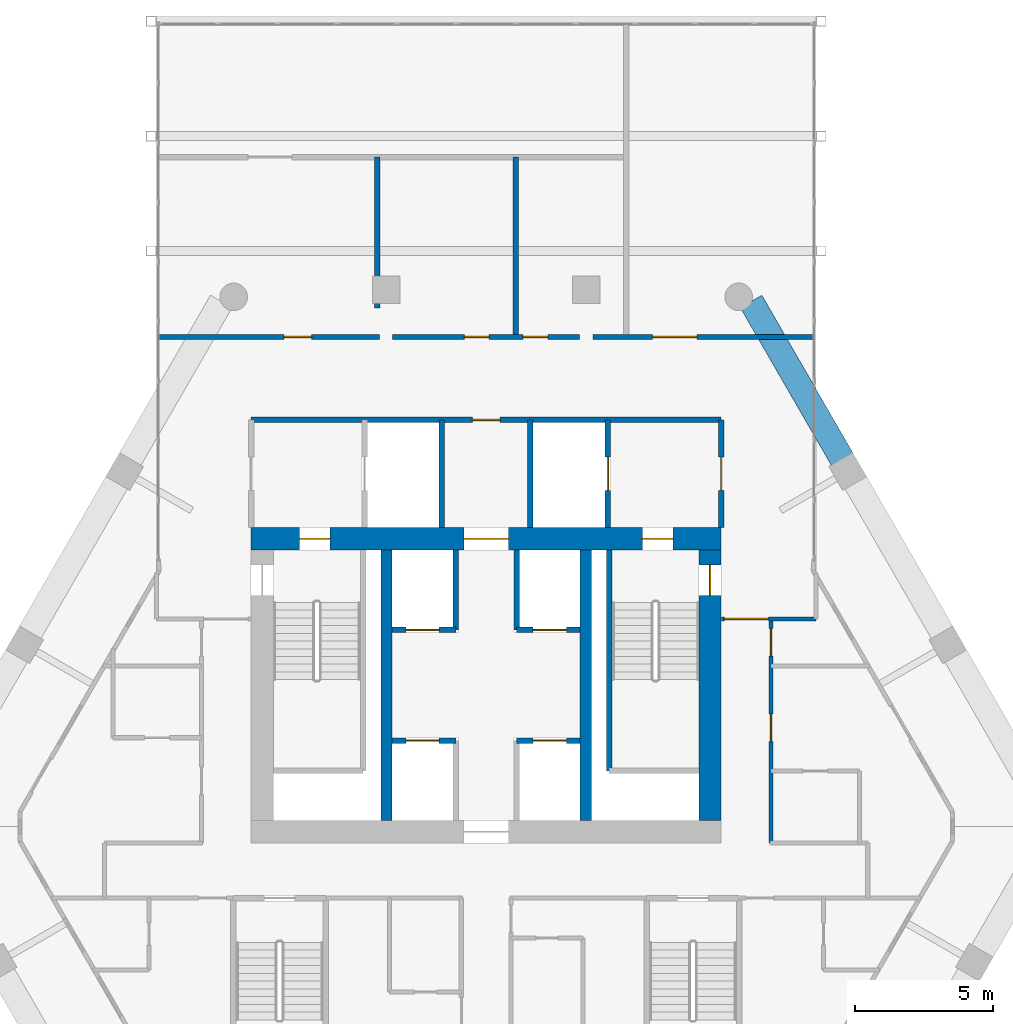
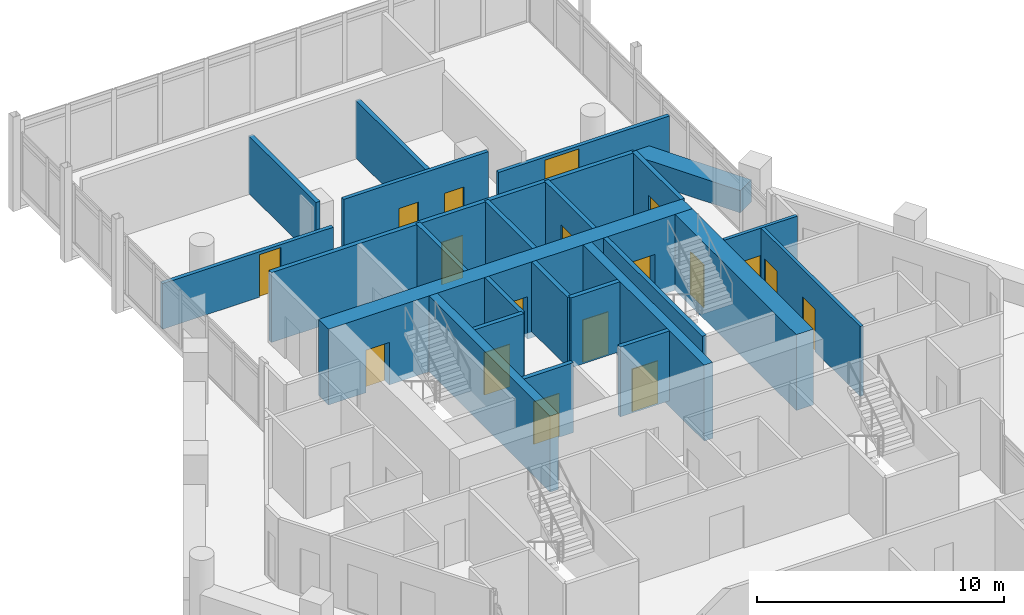
# One storey, part 27 of 29: 24 walls, 18 doors, 18 openings.
"""IFC4 building model written with IfcOpenShell, lengths in metres."""

from ifc_helpers import new_model, si_unit, direction, frame, frame_2d, origin, place, context, subcontext, project, spatial, rectangle, extrude, material, layer, layer_set, type_object, element, fill, save


model = new_model("IFC4")

# Units and contexts
model_context = context("Model", 3, precision=1e-05, world=origin(), true_north=direction((0.0, 1.0)))
body_context = subcontext(model_context, "Body", "Model", "MODEL_VIEW")
ifc_project = project(units=[si_unit("LENGTHUNIT", "METRE"), si_unit("AREAUNIT", "SQUARE_METRE"), si_unit("VOLUMEUNIT", "CUBIC_METRE"), si_unit("PLANEANGLEUNIT", "RADIAN"), si_unit("MASSUNIT", "GRAM", prefix="KILO")], contexts=[model_context])

# Site, building, storey
site_placement = place(None, origin())
site = spatial("IfcSite", under=ifc_project, at=site_placement, CompositionType="ELEMENT")
building_placement = place(site_placement, origin())
building = spatial("IfcBuilding", under=site, at=building_placement, Name="Ostrander Bayou Hotel Tower", CompositionType="ELEMENT")
storey_placement = place(building_placement, frame((0.0, 0.0, 205.75)))
storey = spatial("IfcBuildingStorey", under=building, at=storey_placement, Name="L51", CompositionType="ELEMENT", Elevation=205.75)

# Wall, openings, doors
ifc_material_1 = material(Name="Concrete f'c 60 MPa", Category="concrete")
ifc_layer_1 = layer(ifc_material_1, 0.800048828125)
ifc_layer_set_1 = layer_set([ifc_layer_1], Name="CW7 core wall 800 mm f'c 60 MPa")
wall_type_1 = type_object("IfcWallType", Name="CW7 core wall 800 mm f'c 60 MPa", PredefinedType="SHEAR", material=ifc_layer_set_1)
wall_1_placement = place(storey_placement, frame((-8.5, 9.300048828125, -0.300048828125), z_axis=(0.0, 0.0, 1.0), x_axis=(1.0, 0.0, 0.0)))
wall_1 = element("IfcWall", 1, at=wall_1_placement, inside=storey, type_object=wall_type_1, Name="CW7 L51 N", PredefinedType="SHEAR", context=body_context, shape_type="SweptSolid", body=[
    extrude(rectangle(XDim=17.0, YDim=0.800048828125, at=frame_2d((8.5, 0.0))), origin(), (0.0, 0.0, 1.0), 3.75),
])
opening_1_placement = place(wall_1_placement, frame((7.699951171875, 0.0, 0.0)))
opening_1 = element("IfcOpeningElement", 2, at=opening_1_placement, cuts=wall_1, Name="Opening T50-006", PredefinedType="OPENING", context=body_context, shape_type="SweptSolid", body=[
    extrude(rectangle(XDim=1.60009765625, YDim=2.10009765625, at=frame_2d((0.800048828125, 1.050048828125))), frame((0.0, 0.39990234375, 0.0), z_axis=(0.0, -1.0, 0.0), x_axis=(1.0, 0.0, 0.0)), (0.0, 0.0, 1.0), 0.800048828125),
])
opening_2_placement = place(wall_1_placement, frame((1.75, 0.0, 0.0)))
opening_2 = element("IfcOpeningElement", 3, at=opening_2_placement, cuts=wall_1, Name="Opening T50-007", PredefinedType="OPENING", context=body_context, shape_type="SweptSolid", body=[
    extrude(rectangle(XDim=1.10009765625, YDim=2.10009765625, at=frame_2d((0.550048828125, 1.050048828125))), frame((0.0, 0.39990234375, 0.0), z_axis=(0.0, -1.0, 0.0), x_axis=(1.0, 0.0, 0.0)), (0.0, 0.0, 1.0), 0.800048828125),
])
opening_3_placement = place(wall_1_placement, frame((14.14990234375, 0.0, 0.0)))
opening_3 = element("IfcOpeningElement", 4, at=opening_3_placement, cuts=wall_1, Name="Opening T50-009", PredefinedType="OPENING", context=body_context, shape_type="SweptSolid", body=[
    extrude(rectangle(XDim=1.10009765625, YDim=2.10009765625, at=frame_2d((0.550048828125, 1.050048828125))), frame((0.0, 0.39990234375, 0.0), z_axis=(0.0, -1.0, 0.0), x_axis=(1.0, 0.0, 0.0)), (0.0, 0.0, 1.0), 0.800048828125),
])
ifc_material_2 = material(Name="Timber door leaf", Category="wood")
door_type_1 = type_object("IfcDoorType", Name="D13 double door 1600 x 2100 mm, 1 hour", OperationType="SINGLE_SWING_LEFT", PredefinedType="DOOR", material=ifc_material_2)
door_1_placement = place(opening_1_placement, origin())
door_1 = element("IfcDoor", 5, at=door_1_placement, inside=storey, type_object=door_type_1, Name="dr:L51:006", OperationType="DOUBLE_DOOR_SINGLE_SWING", OverallHeight=2.10009765625, OverallWidth=1.60009765625, PredefinedType="DOOR", context=body_context, shape_type="SweptSolid", body=[
    extrude(rectangle(XDim=1.60009765625, YDim=2.10009765625, at=frame_2d((0.800048828125, 1.050048828125))), frame((0.0, 0.02490234375, 0.0), z_axis=(0.0, -1.0, 0.0), x_axis=(1.0, 0.0, 0.0)), (0.0, 0.0, 1.0), 0.050048828125),
])
fill(opening_1, door_1)
ifc_material_3 = material(Name="Timber door leaf", Category="wood")
door_type_2 = type_object("IfcDoorType", Name="D5 stair door 1100 x 2100 mm, 90 minute", OperationType="SINGLE_SWING_LEFT", PredefinedType="DOOR", material=ifc_material_3)
door_2_placement = place(opening_2_placement, origin())
door_2 = element("IfcDoor", 6, at=door_2_placement, inside=storey, type_object=door_type_2, Name="dr:L51:007", OperationType="SINGLE_SWING_LEFT", OverallHeight=2.10009765625, OverallWidth=1.10009765625, PredefinedType="DOOR", context=body_context, shape_type="SweptSolid", body=[
    extrude(rectangle(XDim=1.10009765625, YDim=2.10009765625, at=frame_2d((0.550048828125, 1.050048828125))), frame((0.0, 0.02490234375, 0.0), z_axis=(0.0, -1.0, 0.0), x_axis=(1.0, 0.0, 0.0)), (0.0, 0.0, 1.0), 0.050048828125),
])
fill(opening_2, door_2)
door_3_placement = place(opening_3_placement, origin())
door_3 = element("IfcDoor", 7, at=door_3_placement, inside=storey, type_object=door_type_2, Name="dr:L51:009", OperationType="SINGLE_SWING_RIGHT", OverallHeight=2.10009765625, OverallWidth=1.10009765625, PredefinedType="DOOR", context=body_context, shape_type="SweptSolid", body=[
    extrude(rectangle(XDim=1.10009765625, YDim=2.10009765625, at=frame_2d((0.550048828125, 1.050048828125))), frame((0.0, 0.02490234375, 0.0), z_axis=(0.0, -1.0, 0.0), x_axis=(1.0, 0.0, 0.0)), (0.0, 0.0, 1.0), 0.050048828125),
])
fill(opening_3, door_3)

# Wall, opening, door
ifc_material_4 = material(Name="Concrete f'c 60 MPa", Category="concrete")
ifc_layer_2 = layer(ifc_material_4, 0.800048828125)
ifc_layer_set_2 = layer_set([ifc_layer_2], Name="CW8 core spine wall 800 mm f'c 60 MPa")
wall_type_2 = type_object("IfcWallType", Name="CW8 core spine wall 800 mm f'c 60 MPa", PredefinedType="SHEAR", material=ifc_layer_set_2)
wall_2_placement = place(storey_placement, frame((8.10009765625, -0.89990234375, -0.300048828125), z_axis=(0.0, 0.0, 1.0), x_axis=(0.0, 1.0, 0.0)))
wall_2 = element("IfcWall", 8, at=wall_2_placement, inside=storey, type_object=wall_type_2, Name="CW8 L51 E", PredefinedType="SHEAR", context=body_context, shape_type="SweptSolid", body=[
    extrude(rectangle(XDim=9.7998046875, YDim=0.800048828125, at=frame_2d((4.89990234375, 0.0))), origin(), (0.0, 0.0, 1.0), 3.75),
])
opening_4_placement = place(wall_2_placement, frame((8.14990234375, 0.0, 0.0)))
opening_4 = element("IfcOpeningElement", 9, at=opening_4_placement, cuts=wall_2, Name="Opening T50-010", PredefinedType="OPENING", context=body_context, shape_type="SweptSolid", body=[
    extrude(rectangle(XDim=1.10009765625, YDim=2.10009765625, at=frame_2d((0.550048828125, 1.050048828125))), frame((0.0, 0.39990234375, 0.0), z_axis=(0.0, -1.0, 0.0), x_axis=(1.0, 0.0, 0.0)), (0.0, 0.0, 1.0), 0.800048828125),
])
door_4_placement = place(opening_4_placement, origin())
door_4 = element("IfcDoor", 10, at=door_4_placement, inside=storey, type_object=door_type_2, Name="dr:L51:010", OperationType="SINGLE_SWING_LEFT", OverallHeight=2.10009765625, OverallWidth=1.10009765625, PredefinedType="DOOR", context=body_context, shape_type="SweptSolid", body=[
    extrude(rectangle(XDim=1.10009765625, YDim=2.10009765625, at=frame_2d((0.550048828125, 1.050048828125))), frame((0.0, 0.02490234375, 0.0), z_axis=(0.0, -1.0, 0.0), x_axis=(1.0, 0.0, 0.0)), (0.0, 0.0, 1.0), 0.050048828125),
])
fill(opening_4, door_4)

# Walls
ifc_material_5 = material(Name="Concrete f'c 60 MPa", Category="concrete")
ifc_layer_3 = layer(ifc_material_5, 0.39990234375)
ifc_layer_set_3 = layer_set([ifc_layer_3], Name="CW9 core bank wall 400 mm f'c 60 MPa")
wall_type_3 = type_object("IfcWallType", Name="CW9 core bank wall 400 mm f'c 60 MPa", PredefinedType="SHEAR", material=ifc_layer_set_3)
for number, where, z_axis, x_axis, name in (
    (11, (-3.60009765625, -0.89990234375, -0.300048828125), (0.0, 0.0, 1.0), (0.0, 1.0, 0.0), "CW9 L51 CW"),
    (12, (3.60009765625, -0.89990234375, -0.300048828125), (0.0, 0.0, 1.0), (0.0, 1.0, 0.0), "CW9 L51 CE"),
):
    element("IfcWall", number, at=place(storey_placement, frame(where, z_axis=z_axis, x_axis=x_axis)), inside=storey, type_object=wall_type_3, Name=name, PredefinedType="SHEAR", context=body_context, shape_type="SweptSolid", body=[
        extrude(rectangle(XDim=9.7998046875, YDim=0.39990234375, at=frame_2d((4.89990234375, 0.0))), origin(), (0.0, 0.0, 1.0), 3.75),
    ])
ifc_material_6 = material(Name="Concrete f'c 40 MPa", Category="concrete")
ifc_layer_4 = layer(ifc_material_6, 0.89990234375)
ifc_layer_set_4 = layer_set([ifc_layer_4], Name="PA1 stone-faced parapet 900 mm")
wall_type_4 = type_object("IfcWallType", Name="PA1 stone-faced parapet 900 mm", PredefinedType="PARAPET", material=ifc_layer_set_4)
wall_3_placement = place(storey_placement, frame((12.8837890625, 12.158935546875, 0.0), z_axis=(0.0, 0.0, 1.0), x_axis=(-0.499994358189, 0.866028661061, 0.0)))
element("IfcWall", 13, at=wall_3_placement, inside=storey, type_object=wall_type_4, Name="PA1 L51 NE-3", PredefinedType="PARAPET", context=body_context, shape_type="SweptSolid", body=[
    extrude(rectangle(XDim=6.6064453125, YDim=0.89990234375, at=frame_2d((3.30322265625, 0.0))), origin(), (0.0, 0.0, 1.0), 1.10009765625),
])
ifc_material_7 = material(Name="Gypsum board partition", Category="finish")
ifc_layer_5 = layer(ifc_material_7, 0.199951171875)
ifc_layer_set_5 = layer_set([ifc_layer_5], Name="PT3 demising wall 200 mm acoustic double stud, 1 hour")
wall_type_5 = type_object("IfcWallType", Name="PT3 demising wall 200 mm acoustic double stud, 1 hour", PredefinedType="PARTITIONING", material=ifc_layer_set_5)
wall_4_placement = place(storey_placement, frame((-3.931884765625, 17.64306640625, 0.0), z_axis=(0.0, 0.0, 1.0), x_axis=(0.0, 1.0, 0.0)))
element("IfcWall", 14, at=wall_4_placement, inside=storey, type_object=wall_type_5, Name="sw:L51:508", PredefinedType="PARTITIONING", context=body_context, shape_type="SweptSolid", body=[
    extrude(rectangle(XDim=5.45703125, YDim=0.199951171875, at=frame_2d((2.728515625, 0.0))), origin(), (0.0, 0.0, 1.0), 2.8388671875),
])
wall_5_placement = place(storey_placement, frame((1.068115234375, 16.60009765625, 0.0), z_axis=(0.0, 0.0, 1.0), x_axis=(0.0, 1.0, 0.0)))
element("IfcWall", 15, at=wall_5_placement, inside=storey, type_object=wall_type_5, Name="sw:L51:509", PredefinedType="PARTITIONING", context=body_context, shape_type="SweptSolid", body=[
    extrude(rectangle(XDim=6.5, YDim=0.199951171875, at=frame_2d((3.25, 0.0))), origin(), (0.0, 0.0, 1.0), 2.8388671875),
])

# Wall, opening, door
ifc_material_8 = material(Name="Gypsum board partition", Category="finish")
ifc_layer_6 = layer(ifc_material_8, 0.175048828125)
ifc_layer_set_6 = layer_set([ifc_layer_6], Name="PT4 corridor wall 175 mm, 1 hour")
wall_type_6 = type_object("IfcWallType", Name="PT4 corridor wall 175 mm, 1 hour", PredefinedType="PARTITIONING", material=ifc_layer_set_6)
wall_6_placement = place(storey_placement, frame((-11.838134765625, 16.60009765625, 0.0), z_axis=(0.0, 0.0, 1.0), x_axis=(1.0, 0.0, 0.0)))
wall_6 = element("IfcWall", 16, at=wall_6_placement, inside=storey, type_object=wall_type_6, Name="sw:L51:501", PredefinedType="PARTITIONING", context=body_context, shape_type="SweptSolid", body=[
    extrude(rectangle(XDim=7.981689453125, YDim=0.175048828125, at=frame_2d((3.99072265625, 0.0))), origin(), (0.0, 0.0, 1.0), 2.25),
])
opening_5_placement = place(wall_6_placement, frame((4.522705078125, 0.0, 0.0)))
opening_5 = element("IfcOpeningElement", 17, at=opening_5_placement, cuts=wall_6, Name="Opening T50-1206", PredefinedType="OPENING", context=body_context, shape_type="SweptSolid", body=[
    extrude(rectangle(XDim=1.0, YDim=2.10009765625, at=frame_2d((0.5, 1.050048828125))), frame((0.0, 0.08740234375, 0.0), z_axis=(0.0, -1.0, 0.0), x_axis=(1.0, 0.0, 0.0)), (0.0, 0.0, 1.0), 0.175048828125),
])
ifc_material_9 = material(Name="Timber door leaf", Category="wood")
door_type_3 = type_object("IfcDoorType", Name="D9 service door 1000 x 2100 mm, 30 minute", OperationType="SINGLE_SWING_LEFT", PredefinedType="DOOR", material=ifc_material_9)
door_5_placement = place(opening_5_placement, origin())
door_5 = element("IfcDoor", 18, at=door_5_placement, inside=storey, type_object=door_type_3, Name="dr:L51:1206", OperationType="SINGLE_SWING_RIGHT", OverallHeight=2.10009765625, OverallWidth=1.0, PredefinedType="DOOR", context=body_context, shape_type="SweptSolid", body=[
    extrude(rectangle(XDim=1.0, YDim=2.10009765625, at=frame_2d((0.5, 1.050048828125))), frame((0.0, 0.02490234375, 0.0), z_axis=(0.0, -1.0, 0.0), x_axis=(1.0, 0.0, 0.0)), (0.0, 0.0, 1.0), 0.050048828125),
])
fill(opening_5, door_5)

# Wall, openings, doors
wall_7_placement = place(storey_placement, frame((-3.379638671875, 16.60009765625, 0.0), z_axis=(0.0, 0.0, 1.0), x_axis=(1.0, 0.0, 0.0)))
wall_7 = element("IfcWall", 19, at=wall_7_placement, inside=storey, type_object=wall_type_6, Name="sw:L51:502", PredefinedType="PARTITIONING", context=body_context, shape_type="SweptSolid", body=[
    extrude(rectangle(XDim=6.75927734375, YDim=0.175048828125, at=frame_2d((3.379638671875, 0.0))), origin(), (0.0, 0.0, 1.0), 3.449951171875),
])
opening_6_placement = place(wall_7_placement, frame((2.5869140625, 0.0, 0.0)))
opening_6 = element("IfcOpeningElement", 20, at=opening_6_placement, cuts=wall_7, Name="Opening T50-1207", PredefinedType="OPENING", context=body_context, shape_type="SweptSolid", body=[
    extrude(rectangle(XDim=0.89990234375, YDim=2.10009765625, at=frame_2d((0.449951171875, 1.050048828125))), frame((0.0, 0.08740234375, 0.0), z_axis=(0.0, -1.0, 0.0), x_axis=(1.0, 0.0, 0.0)), (0.0, 0.0, 1.0), 0.175048828125),
])
opening_7_placement = place(wall_7_placement, frame((4.709716796875, 0.0, 0.0)))
opening_7 = element("IfcOpeningElement", 21, at=opening_7_placement, cuts=wall_7, Name="Opening T50-1208", PredefinedType="OPENING", context=body_context, shape_type="SweptSolid", body=[
    extrude(rectangle(XDim=0.89990234375, YDim=2.10009765625, at=frame_2d((0.449951171875, 1.050048828125))), frame((0.0, 0.08740234375, 0.0), z_axis=(0.0, -1.0, 0.0), x_axis=(1.0, 0.0, 0.0)), (0.0, 0.0, 1.0), 0.175048828125),
])
ifc_material_10 = material(Name="Timber door leaf", Category="wood")
door_type_4 = type_object("IfcDoorType", Name="D8 room door 900 x 2100 mm", OperationType="SINGLE_SWING_LEFT", PredefinedType="DOOR", material=ifc_material_10)
door_6_placement = place(opening_6_placement, origin())
door_6 = element("IfcDoor", 22, at=door_6_placement, inside=storey, type_object=door_type_4, Name="dr:L51:1207", OperationType="SINGLE_SWING_LEFT", OverallHeight=2.10009765625, OverallWidth=0.89990234375, PredefinedType="DOOR", context=body_context, shape_type="SweptSolid", body=[
    extrude(rectangle(XDim=0.89990234375, YDim=2.10009765625, at=frame_2d((0.449951171875, 1.050048828125))), frame((0.0, 0.02490234375, 0.0), z_axis=(0.0, -1.0, 0.0), x_axis=(1.0, 0.0, 0.0)), (0.0, 0.0, 1.0), 0.050048828125),
])
fill(opening_6, door_6)
door_7_placement = place(opening_7_placement, origin())
door_7 = element("IfcDoor", 23, at=door_7_placement, inside=storey, type_object=door_type_4, Name="dr:L51:1208", OperationType="SINGLE_SWING_RIGHT", OverallHeight=2.10009765625, OverallWidth=0.89990234375, PredefinedType="DOOR", context=body_context, shape_type="SweptSolid", body=[
    extrude(rectangle(XDim=0.89990234375, YDim=2.10009765625, at=frame_2d((0.449951171875, 1.050048828125))), frame((0.0, 0.02490234375, 0.0), z_axis=(0.0, -1.0, 0.0), x_axis=(1.0, 0.0, 0.0)), (0.0, 0.0, 1.0), 0.050048828125),
])
fill(opening_7, door_7)

# Wall, opening, door
wall_8_placement = place(storey_placement, frame((3.8564453125, 16.60009765625, 0.0), z_axis=(0.0, 0.0, 1.0), x_axis=(1.0, 0.0, 0.0)))
wall_8 = element("IfcWall", 24, at=wall_8_placement, inside=storey, type_object=wall_type_6, Name="sw:L51:503", PredefinedType="PARTITIONING", context=body_context, shape_type="SweptSolid", body=[
    extrude(rectangle(XDim=7.981689453125, YDim=0.175048828125, at=frame_2d((3.99072265625, 0.0))), origin(), (0.0, 0.0, 1.0), 2.25),
])
opening_8_placement = place(wall_8_placement, frame((2.1591796875, 0.0, 0.0)))
opening_8 = element("IfcOpeningElement", 25, at=opening_8_placement, cuts=wall_8, Name="Opening T50-1209", PredefinedType="OPENING", context=body_context, shape_type="SweptSolid", body=[
    extrude(rectangle(XDim=1.60009765625, YDim=2.10009765625, at=frame_2d((0.800048828125, 1.050048828125))), frame((0.0, 0.08740234375, 0.0), z_axis=(0.0, -1.0, 0.0), x_axis=(1.0, 0.0, 0.0)), (0.0, 0.0, 1.0), 0.175048828125),
])
door_8_placement = place(opening_8_placement, origin())
door_8 = element("IfcDoor", 26, at=door_8_placement, inside=storey, type_object=door_type_1, Name="dr:L51:1209", OperationType="DOUBLE_DOOR_SINGLE_SWING", OverallHeight=2.10009765625, OverallWidth=1.60009765625, PredefinedType="DOOR", context=body_context, shape_type="SweptSolid", body=[
    extrude(rectangle(XDim=1.60009765625, YDim=2.10009765625, at=frame_2d((0.800048828125, 1.050048828125))), frame((0.0, 0.02490234375, 0.0), z_axis=(0.0, -1.0, 0.0), x_axis=(1.0, 0.0, 0.0)), (0.0, 0.0, 1.0), 0.050048828125),
])
fill(opening_8, door_8)

ifc_material_11 = material(Name="Masonry block", Category="masonry")
ifc_layer_7 = layer(ifc_material_11, 0.199951171875)
ifc_layer_set_7 = layer_set([ifc_layer_7], Name="PT5 stair enclosure wall 200 mm masonry, 2 hour")
wall_type_7 = type_object("IfcWallType", Name="PT5 stair enclosure wall 200 mm masonry, 2 hour", PredefinedType="PARTITIONING", material=ifc_layer_set_7)
wall_9_placement = place(storey_placement, frame((-8.5, 13.60009765625, 0.0), z_axis=(0.0, 0.0, 1.0), x_axis=(1.0, 0.0, 0.0)))
wall_9 = element("IfcWall", 27, at=wall_9_placement, inside=storey, type_object=wall_type_7, Name="cs:L51:021", PredefinedType="PARTITIONING", context=body_context, shape_type="SweptSolid", body=[
    extrude(rectangle(XDim=17.0, YDim=0.199951171875, at=frame_2d((8.5, 0.0))), origin(), (0.0, 0.0, 1.0), 3.449951171875),
])
opening_9_placement = place(wall_9_placement, frame((8.0, 0.0, 0.0)))
opening_9 = element("IfcOpeningElement", 28, at=opening_9_placement, cuts=wall_9, Name="Opening T50-017", PredefinedType="OPENING", context=body_context, shape_type="SweptSolid", body=[
    extrude(rectangle(XDim=1.0, YDim=2.10009765625, at=frame_2d((0.5, 1.050048828125))), frame((0.0, 0.10009765625, 0.0), z_axis=(0.0, -1.0, 0.0), x_axis=(1.0, 0.0, 0.0)), (0.0, 0.0, 1.0), 0.199951171875),
])
door_9_placement = place(opening_9_placement, origin())
door_9 = element("IfcDoor", 29, at=door_9_placement, inside=storey, type_object=door_type_3, Name="dr:L51:017", OperationType="SINGLE_SWING_LEFT", OverallHeight=2.10009765625, OverallWidth=1.0, PredefinedType="DOOR", context=body_context, shape_type="SweptSolid", body=[
    extrude(rectangle(XDim=1.0, YDim=2.10009765625, at=frame_2d((0.5, 1.050048828125))), frame((0.0, 0.02490234375, 0.0), z_axis=(0.0, -1.0, 0.0), x_axis=(1.0, 0.0, 0.0)), (0.0, 0.0, 1.0), 0.050048828125),
])
fill(opening_9, door_9)

wall_10_placement = place(storey_placement, frame((8.5, 9.699951171875, 0.0), z_axis=(0.0, 0.0, 1.0), x_axis=(0.0, 1.0, 0.0)))
wall_10 = element("IfcWall", 30, at=wall_10_placement, inside=storey, type_object=wall_type_7, Name="cs:L51:023", PredefinedType="PARTITIONING", context=body_context, shape_type="SweptSolid", body=[
    extrude(rectangle(XDim=3.900146484375, YDim=0.199951171875, at=frame_2d((1.9501953125, 0.0))), origin(), (0.0, 0.0, 1.0), 3.449951171875),
])
opening_10_placement = place(wall_10_placement, frame((1.35009765625, 0.0, 0.0)))
opening_10 = element("IfcOpeningElement", 31, at=opening_10_placement, cuts=wall_10, Name="Opening T50-016", PredefinedType="OPENING", context=body_context, shape_type="SweptSolid", body=[
    extrude(rectangle(XDim=1.199951171875, YDim=2.10009765625, at=frame_2d((0.60009765625, 1.050048828125))), frame((0.0, 0.10009765625, 0.0), z_axis=(0.0, -1.0, 0.0), x_axis=(1.0, 0.0, 0.0)), (0.0, 0.0, 1.0), 0.199951171875),
])
ifc_material_12 = material(Name="Timber door leaf", Category="wood")
door_type_5 = type_object("IfcDoorType", Name="D7 lobby door 1200 x 2100 mm, 1 hour", OperationType="SINGLE_SWING_LEFT", PredefinedType="DOOR", material=ifc_material_12)
door_10_placement = place(opening_10_placement, origin())
door_10 = element("IfcDoor", 32, at=door_10_placement, inside=storey, type_object=door_type_5, Name="dr:L51:016", OperationType="SINGLE_SWING_LEFT", OverallHeight=2.10009765625, OverallWidth=1.199951171875, PredefinedType="DOOR", context=body_context, shape_type="SweptSolid", body=[
    extrude(rectangle(XDim=1.199951171875, YDim=2.10009765625, at=frame_2d((0.60009765625, 1.050048828125))), frame((0.0, 0.02490234375, 0.0), z_axis=(0.0, -1.0, 0.0), x_axis=(1.0, 0.0, 0.0)), (0.0, 0.0, 1.0), 0.050048828125),
])
fill(opening_10, door_10)

wall_11_placement = place(storey_placement, frame((4.39990234375, 9.699951171875, 0.0), z_axis=(0.0, 0.0, 1.0), x_axis=(0.0, 1.0, 0.0)))
wall_11 = element("IfcWall", 33, at=wall_11_placement, inside=storey, type_object=wall_type_7, Name="cs:L51:025", PredefinedType="PARTITIONING", context=body_context, shape_type="SweptSolid", body=[
    extrude(rectangle(XDim=3.900146484375, YDim=0.199951171875, at=frame_2d((1.9501953125, 0.0))), origin(), (0.0, 0.0, 1.0), 3.449951171875),
])
opening_11_placement = place(wall_11_placement, frame((1.35009765625, 0.0, 0.0)))
opening_11 = element("IfcOpeningElement", 34, at=opening_11_placement, cuts=wall_11, Name="Opening T50-015", PredefinedType="OPENING", context=body_context, shape_type="SweptSolid", body=[
    extrude(rectangle(XDim=1.199951171875, YDim=2.10009765625, at=frame_2d((0.60009765625, 1.050048828125))), frame((0.0, 0.10009765625, 0.0), z_axis=(0.0, -1.0, 0.0), x_axis=(1.0, 0.0, 0.0)), (0.0, 0.0, 1.0), 0.199951171875),
])
ifc_material_13 = material(Name="Stainless steel sliding door", Category="steel")
door_type_6 = type_object("IfcDoorType", Name="LD1 lift landing door 1200 x 2100 mm", OperationType="SINGLE_SWING_LEFT", PredefinedType="DOOR", material=ifc_material_13)
door_11_placement = place(opening_11_placement, origin())
door_11 = element("IfcDoor", 35, at=door_11_placement, inside=storey, type_object=door_type_6, Name="dr:L51:015", OperationType="SLIDING_TO_LEFT", OverallHeight=2.10009765625, OverallWidth=1.199951171875, PredefinedType="DOOR", context=body_context, shape_type="SweptSolid", body=[
    extrude(rectangle(XDim=1.199951171875, YDim=2.10009765625, at=frame_2d((0.60009765625, 1.050048828125))), frame((0.0, 0.02490234375, 0.0), z_axis=(0.0, -1.0, 0.0), x_axis=(1.0, 0.0, 0.0)), (0.0, 0.0, 1.0), 0.050048828125),
])
fill(opening_11, door_11)

ifc_material_14 = material(Name="Masonry block", Category="masonry")
ifc_layer_8 = layer(ifc_material_14, 0.199951171875)
ifc_layer_set_8 = layer_set([ifc_layer_8], Name="PT6 lift shaft wall 200 mm masonry, 2 hour")
wall_type_8 = type_object("IfcWallType", Name="PT6 lift shaft wall 200 mm masonry, 2 hour", PredefinedType="PARTITIONING", material=ifc_layer_set_8)
wall_12_placement = place(storey_placement, frame((-3.39990234375, 2.0, 0.0), z_axis=(0.0, 0.0, 1.0), x_axis=(1.0, 0.0, 0.0)))
wall_12 = element("IfcWall", 36, at=wall_12_placement, inside=storey, type_object=wall_type_8, Name="cs:L51:001", PredefinedType="PARTITIONING", context=body_context, shape_type="SweptSolid", body=[
    extrude(rectangle(XDim=2.2998046875, YDim=0.199951171875, at=frame_2d((1.14990234375, 0.0))), origin(), (0.0, 0.0, 1.0), 3.449951171875),
])
opening_12_placement = place(wall_12_placement, frame((0.5, 0.0, 0.0)))
opening_12 = element("IfcOpeningElement", 37, at=opening_12_placement, cuts=wall_12, Name="Opening T50-001", PredefinedType="OPENING", context=body_context, shape_type="SweptSolid", body=[
    extrude(rectangle(XDim=1.199951171875, YDim=2.10009765625, at=frame_2d((0.60009765625, 1.050048828125))), frame((0.0, 0.10009765625, 0.0), z_axis=(0.0, -1.0, 0.0), x_axis=(1.0, 0.0, 0.0)), (0.0, 0.0, 1.0), 0.199951171875),
])
door_12_placement = place(opening_12_placement, origin())
door_12 = element("IfcDoor", 38, at=door_12_placement, inside=storey, type_object=door_type_6, Name="dr:L51:001", OperationType="SLIDING_TO_LEFT", OverallHeight=2.10009765625, OverallWidth=1.199951171875, PredefinedType="DOOR", context=body_context, shape_type="SweptSolid", body=[
    extrude(rectangle(XDim=1.199951171875, YDim=2.10009765625, at=frame_2d((0.60009765625, 1.050048828125))), frame((0.0, 0.02490234375, 0.0), z_axis=(0.0, -1.0, 0.0), x_axis=(1.0, 0.0, 0.0)), (0.0, 0.0, 1.0), 0.050048828125),
])
fill(opening_12, door_12)

wall_13_placement = place(storey_placement, frame((-3.39990234375, 6.0, 0.0), z_axis=(0.0, 0.0, 1.0), x_axis=(1.0, 0.0, 0.0)))
wall_13 = element("IfcWall", 39, at=wall_13_placement, inside=storey, type_object=wall_type_8, Name="cs:L51:002", PredefinedType="PARTITIONING", context=body_context, shape_type="SweptSolid", body=[
    extrude(rectangle(XDim=2.2998046875, YDim=0.199951171875, at=frame_2d((1.14990234375, 0.0))), origin(), (0.0, 0.0, 1.0), 3.449951171875),
])
opening_13_placement = place(wall_13_placement, frame((0.5, 0.0, 0.0)))
opening_13 = element("IfcOpeningElement", 40, at=opening_13_placement, cuts=wall_13, Name="Opening T50-003", PredefinedType="OPENING", context=body_context, shape_type="SweptSolid", body=[
    extrude(rectangle(XDim=1.199951171875, YDim=2.10009765625, at=frame_2d((0.60009765625, 1.050048828125))), frame((0.0, 0.10009765625, 0.0), z_axis=(0.0, -1.0, 0.0), x_axis=(1.0, 0.0, 0.0)), (0.0, 0.0, 1.0), 0.199951171875),
])
door_13_placement = place(opening_13_placement, origin())
door_13 = element("IfcDoor", 41, at=door_13_placement, inside=storey, type_object=door_type_6, Name="dr:L51:003", OperationType="SLIDING_TO_LEFT", OverallHeight=2.10009765625, OverallWidth=1.199951171875, PredefinedType="DOOR", context=body_context, shape_type="SweptSolid", body=[
    extrude(rectangle(XDim=1.199951171875, YDim=2.10009765625, at=frame_2d((0.60009765625, 1.050048828125))), frame((0.0, 0.02490234375, 0.0), z_axis=(0.0, -1.0, 0.0), x_axis=(1.0, 0.0, 0.0)), (0.0, 0.0, 1.0), 0.050048828125),
])
fill(opening_13, door_13)

wall_14_placement = place(storey_placement, frame((1.10009765625, 2.0, 0.0), z_axis=(0.0, 0.0, 1.0), x_axis=(1.0, 0.0, 0.0)))
wall_14 = element("IfcWall", 42, at=wall_14_placement, inside=storey, type_object=wall_type_8, Name="cs:L51:003", PredefinedType="PARTITIONING", context=body_context, shape_type="SweptSolid", body=[
    extrude(rectangle(XDim=2.2998046875, YDim=0.199951171875, at=frame_2d((1.14990234375, 0.0))), origin(), (0.0, 0.0, 1.0), 3.449951171875),
])
opening_14_placement = place(wall_14_placement, frame((0.60009765625, 0.0, 0.0)))
opening_14 = element("IfcOpeningElement", 43, at=opening_14_placement, cuts=wall_14, Name="Opening T50-002", PredefinedType="OPENING", context=body_context, shape_type="SweptSolid", body=[
    extrude(rectangle(XDim=1.199951171875, YDim=2.10009765625, at=frame_2d((0.60009765625, 1.050048828125))), frame((0.0, 0.10009765625, 0.0), z_axis=(0.0, -1.0, 0.0), x_axis=(1.0, 0.0, 0.0)), (0.0, 0.0, 1.0), 0.199951171875),
])
door_14_placement = place(opening_14_placement, origin())
door_14 = element("IfcDoor", 44, at=door_14_placement, inside=storey, type_object=door_type_6, Name="dr:L51:002", OperationType="SLIDING_TO_LEFT", OverallHeight=2.10009765625, OverallWidth=1.199951171875, PredefinedType="DOOR", context=body_context, shape_type="SweptSolid", body=[
    extrude(rectangle(XDim=1.199951171875, YDim=2.10009765625, at=frame_2d((0.60009765625, 1.050048828125))), frame((0.0, 0.02490234375, 0.0), z_axis=(0.0, -1.0, 0.0), x_axis=(1.0, 0.0, 0.0)), (0.0, 0.0, 1.0), 0.050048828125),
])
fill(opening_14, door_14)

wall_15_placement = place(storey_placement, frame((1.10009765625, 6.0, 0.0), z_axis=(0.0, 0.0, 1.0), x_axis=(1.0, 0.0, 0.0)))
wall_15 = element("IfcWall", 45, at=wall_15_placement, inside=storey, type_object=wall_type_8, Name="cs:L51:004", PredefinedType="PARTITIONING", context=body_context, shape_type="SweptSolid", body=[
    extrude(rectangle(XDim=2.2998046875, YDim=0.199951171875, at=frame_2d((1.14990234375, 0.0))), origin(), (0.0, 0.0, 1.0), 3.449951171875),
])
opening_15_placement = place(wall_15_placement, frame((0.60009765625, 0.0, 0.0)))
opening_15 = element("IfcOpeningElement", 46, at=opening_15_placement, cuts=wall_15, Name="Opening T50-004", PredefinedType="OPENING", context=body_context, shape_type="SweptSolid", body=[
    extrude(rectangle(XDim=1.199951171875, YDim=2.10009765625, at=frame_2d((0.60009765625, 1.050048828125))), frame((0.0, 0.10009765625, 0.0), z_axis=(0.0, -1.0, 0.0), x_axis=(1.0, 0.0, 0.0)), (0.0, 0.0, 1.0), 0.199951171875),
])
door_15_placement = place(opening_15_placement, origin())
door_15 = element("IfcDoor", 47, at=door_15_placement, inside=storey, type_object=door_type_6, Name="dr:L51:004", OperationType="SLIDING_TO_LEFT", OverallHeight=2.10009765625, OverallWidth=1.199951171875, PredefinedType="DOOR", context=body_context, shape_type="SweptSolid", body=[
    extrude(rectangle(XDim=1.199951171875, YDim=2.10009765625, at=frame_2d((0.60009765625, 1.050048828125))), frame((0.0, 0.02490234375, 0.0), z_axis=(0.0, -1.0, 0.0), x_axis=(1.0, 0.0, 0.0)), (0.0, 0.0, 1.0), 0.050048828125),
])
fill(opening_15, door_15)

# Walls
for number, where, z_axis, x_axis, name in (
    (48, (-1.10009765625, 6.0, 0.0), (0.0, 0.0, 1.0), (0.0, 1.0, 0.0), "cs:L51:007"),
    (49, (1.10009765625, 6.0, 0.0), (0.0, 0.0, 1.0), (0.0, 1.0, 0.0), "cs:L51:008"),
):
    element("IfcWall", number, at=place(storey_placement, frame(where, z_axis=z_axis, x_axis=x_axis)), inside=storey, type_object=wall_type_8, Name=name, PredefinedType="PARTITIONING", context=body_context, shape_type="SweptSolid", body=[
        extrude(rectangle(XDim=2.89990234375, YDim=0.199951171875, at=frame_2d((1.449951171875, 0.0))), origin(), (0.0, 0.0, 1.0), 3.449951171875),
    ])
for number, where, z_axis, x_axis, name in (
    (50, (-1.60009765625, 9.699951171875, 0.0), (0.0, 0.0, 1.0), (0.0, 1.0, 0.0), "cs:L51:026"),
    (51, (1.60009765625, 9.699951171875, 0.0), (0.0, 0.0, 1.0), (0.0, 1.0, 0.0), "cs:L51:027"),
):
    element("IfcWall", number, at=place(storey_placement, frame(where, z_axis=z_axis, x_axis=x_axis)), inside=storey, type_object=wall_type_8, Name=name, PredefinedType="PARTITIONING", context=body_context, shape_type="SweptSolid", body=[
        extrude(rectangle(XDim=3.900146484375, YDim=0.199951171875, at=frame_2d((1.9501953125, 0.0))), origin(), (0.0, 0.0, 1.0), 3.449951171875),
    ])

# Wall, opening, door
ifc_material_15 = material(Name="Gypsum board partition", Category="finish")
ifc_layer_9 = layer(ifc_material_15, 0.14990234375)
ifc_layer_set_9 = layer_set([ifc_layer_9], Name="PT8 service band wall 150 mm, 1 hour")
wall_type_9 = type_object("IfcWallType", Name="PT8 service band wall 150 mm, 1 hour", PredefinedType="PARTITIONING", material=ifc_layer_set_9)
wall_16_placement = place(storey_placement, frame((8.510009765625, 6.39990234375, 0.0), z_axis=(0.0, 0.0, 1.0), x_axis=(1.0, 0.0, 0.0)))
wall_16 = element("IfcWall", 52, at=wall_16_placement, inside=storey, type_object=wall_type_9, Name="gw:L51:019", PredefinedType="PARTITIONING", context=body_context, shape_type="SweptSolid", body=[
    extrude(rectangle(XDim=3.419921875, YDim=0.14990234375, at=frame_2d((1.7099609375, 0.0))), origin(), (0.0, 0.0, 1.0), 3.449951171875),
])
opening_16_placement = place(wall_16_placement, frame((0.10009765625, 0.0, 0.0)))
opening_16 = element("IfcOpeningElement", 53, at=opening_16_placement, cuts=wall_16, Name="Opening T50-1213", PredefinedType="OPENING", context=body_context, shape_type="SweptSolid", body=[
    extrude(rectangle(XDim=1.60009765625, YDim=2.10009765625, at=frame_2d((0.800048828125, 1.050048828125))), frame((0.0, 0.074951171875, 0.0), z_axis=(0.0, -1.0, 0.0), x_axis=(1.0, 0.0, 0.0)), (0.0, 0.0, 1.0), 0.14990234375),
])
door_16_placement = place(opening_16_placement, origin())
door_16 = element("IfcDoor", 54, at=door_16_placement, inside=storey, type_object=door_type_1, Name="dr:L51:1213", OperationType="DOUBLE_DOOR_SINGLE_SWING", OverallHeight=2.10009765625, OverallWidth=1.60009765625, PredefinedType="DOOR", context=body_context, shape_type="SweptSolid", body=[
    extrude(rectangle(XDim=1.60009765625, YDim=2.10009765625, at=frame_2d((0.800048828125, 1.050048828125))), frame((0.0, 0.02490234375, 0.0), z_axis=(0.0, -1.0, 0.0), x_axis=(1.0, 0.0, 0.0)), (0.0, 0.0, 1.0), 0.050048828125),
])
fill(opening_16, door_16)

# Wall, openings, doors
wall_17_placement = place(storey_placement, frame((10.300048828125, -1.699951171875, 0.0), z_axis=(0.0, 0.0, 1.0), x_axis=(0.0, 1.0, 0.0)))
wall_17 = element("IfcWall", 55, at=wall_17_placement, inside=storey, type_object=wall_type_9, Name="gw:L51:025", PredefinedType="PARTITIONING", context=body_context, shape_type="SweptSolid", body=[
    extrude(rectangle(XDim=8.099853515625, YDim=0.14990234375, at=frame_2d((4.0498046875, 0.0))), origin(), (0.0, 0.0, 1.0), 3.449951171875),
])
opening_17_placement = place(wall_17_placement, frame((3.659912109375, 0.0, 0.0)))
opening_17 = element("IfcOpeningElement", 56, at=opening_17_placement, cuts=wall_17, Name="Opening T50-411", PredefinedType="OPENING", context=body_context, shape_type="SweptSolid", body=[
    extrude(rectangle(XDim=1.0, YDim=2.10009765625, at=frame_2d((0.5, 1.050048828125))), frame((0.0, 0.074951171875, 0.0), z_axis=(0.0, -1.0, 0.0), x_axis=(1.0, 0.0, 0.0)), (0.0, 0.0, 1.0), 0.14990234375),
])
opening_18_placement = place(wall_17_placement, frame((6.75, 0.0, 0.0)))
opening_18 = element("IfcOpeningElement", 57, at=opening_18_placement, cuts=wall_17, Name="Opening T50-413", PredefinedType="OPENING", context=body_context, shape_type="SweptSolid", body=[
    extrude(rectangle(XDim=1.0, YDim=2.10009765625, at=frame_2d((0.5, 1.050048828125))), frame((0.0, 0.074951171875, 0.0), z_axis=(0.0, -1.0, 0.0), x_axis=(1.0, 0.0, 0.0)), (0.0, 0.0, 1.0), 0.14990234375),
])
ifc_material_16 = material(Name="Timber door leaf", Category="wood")
door_type_7 = type_object("IfcDoorType", Name="D15 room door 1000 x 2100 mm", OperationType="SINGLE_SWING_LEFT", PredefinedType="DOOR", material=ifc_material_16)
door_17_placement = place(opening_17_placement, origin())
door_17 = element("IfcDoor", 58, at=door_17_placement, inside=storey, type_object=door_type_7, Name="dr:L51:411", OperationType="SINGLE_SWING_RIGHT", OverallHeight=2.10009765625, OverallWidth=1.0, PredefinedType="DOOR", context=body_context, shape_type="SweptSolid", body=[
    extrude(rectangle(XDim=1.0, YDim=2.10009765625, at=frame_2d((0.5, 1.050048828125))), frame((0.0, 0.02490234375, 0.0), z_axis=(0.0, -1.0, 0.0), x_axis=(1.0, 0.0, 0.0)), (0.0, 0.0, 1.0), 0.050048828125),
])
fill(opening_17, door_17)
door_18_placement = place(opening_18_placement, origin())
door_18 = element("IfcDoor", 59, at=door_18_placement, inside=storey, type_object=door_type_3, Name="dr:L51:413", OperationType="SINGLE_SWING_LEFT", OverallHeight=2.10009765625, OverallWidth=1.0, PredefinedType="DOOR", context=body_context, shape_type="SweptSolid", body=[
    extrude(rectangle(XDim=1.0, YDim=2.10009765625, at=frame_2d((0.5, 1.050048828125))), frame((0.0, 0.02490234375, 0.0), z_axis=(0.0, -1.0, 0.0), x_axis=(1.0, 0.0, 0.0)), (0.0, 0.0, 1.0), 0.050048828125),
])
fill(opening_18, door_18)

# Wall
ifc_material_17 = material(Name="Concrete f'c 45 MPa", Category="concrete")
ifc_layer_10 = layer(ifc_material_17, 0.199951171875)
ifc_layer_set_10 = layer_set([ifc_layer_10], Name="SW5 stair enclosure wall 200 mm f'c 45 MPa")
wall_type_10 = type_object("IfcWallType", Name="SW5 stair enclosure wall 200 mm f'c 45 MPa", PredefinedType="SOLIDWALL", material=ifc_layer_set_10)
wall_18_placement = place(storey_placement, frame((4.449951171875, 0.89990234375, -0.300048828125), z_axis=(0.0, 0.0, 1.0), x_axis=(0.0, 1.0, 0.0)))
element("IfcWall", 60, at=wall_18_placement, inside=storey, type_object=wall_type_10, Name="cs:L51:011", PredefinedType="SOLIDWALL", context=body_context, shape_type="SweptSolid", body=[
    extrude(rectangle(XDim=8.0, YDim=0.199951171875, at=frame_2d((4.0, 0.0))), origin(), (0.0, 0.0, 1.0), 3.75),
])

save(model, "model.ifc")
